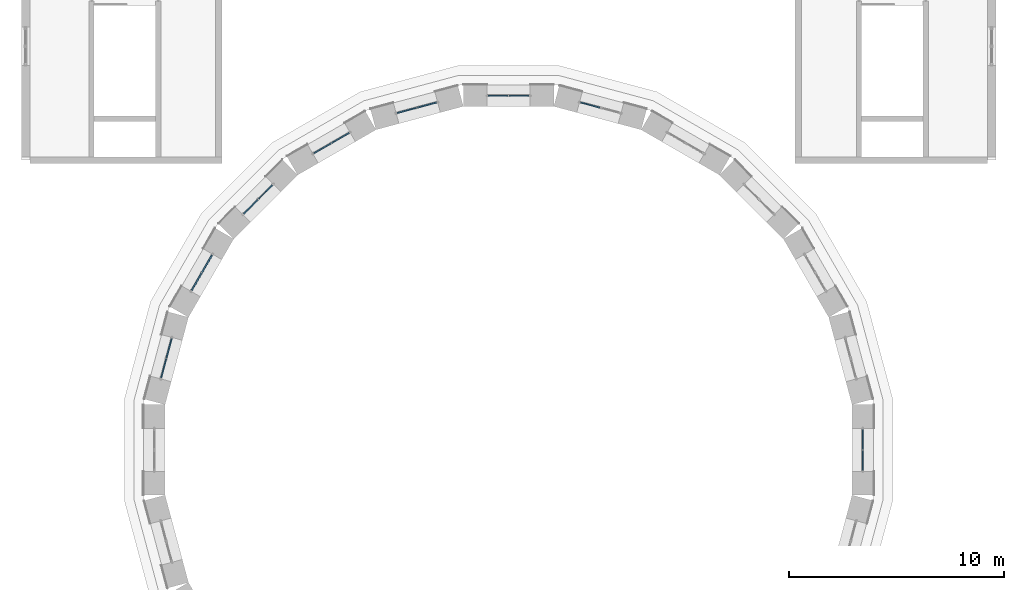
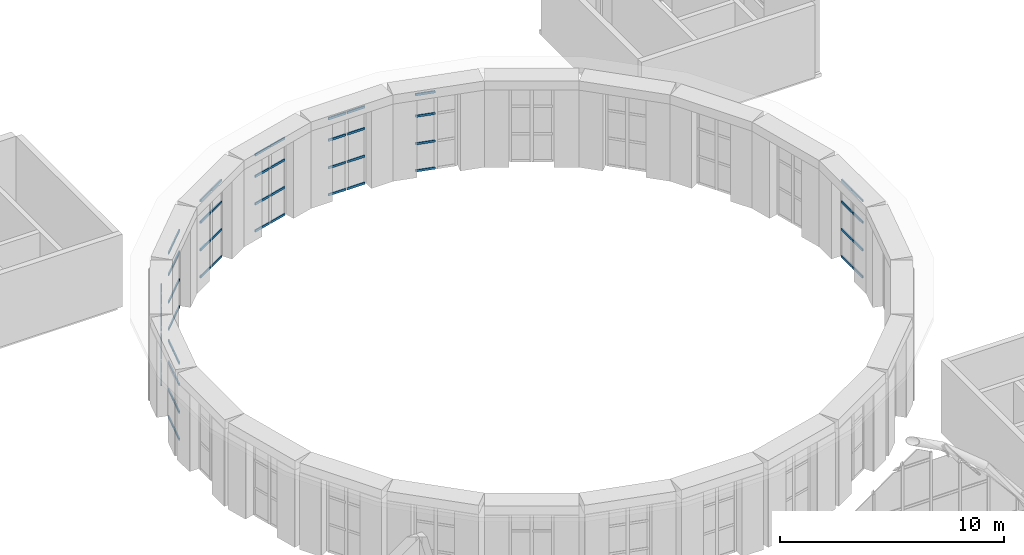
# One storey, part 72 of 121: 60 members, 8 elements without a shape of their own.
"""IFC4 building model written with IfcOpenShell, lengths in metres."""

import ifcopenshell
import ifcopenshell.guid

model = None  # the IFC model being written
_history = None  # IfcOwnerHistory: only IFC2X3 demands one
_inside = {}  # id of a spatial element -> (the spatial element, [elements in it])
_under = {}  # id of a project, library or spatial element -> (it, [spatial elements below it])
_declared = {}  # id of a project -> (the project, [libraries it declares])
_typed = {}  # id of a type object -> (the type object, [elements of that type])
_made_of = {}  # id of a material, layer set ... -> (it, [elements and type objects made of it])


def new_model(schema):
    """Start an empty IFC model of exactly this schema.

    Asked for "IFC4X3", IfcOpenShell would pick the latest addendum, in which some entities
    have other attributes; the version numbers below select the first issue.
    IFC2X3 requires an IfcOwnerHistory on every rooted entity: one is made here for all.
    """
    global model, _history
    if schema == "IFC4X3":
        model = ifcopenshell.file(schema_version=(4, 3, 0, 0))
    else:
        model = ifcopenshell.file(schema=schema)
    _inside.clear()
    _under.clear()
    _declared.clear()
    _typed.clear()
    _made_of.clear()
    _history = None
    if model.schema == "IFC2X3":
        org = make("IfcOrganization", Name="unknown")
        user = make(
            "IfcPersonAndOrganization",
            ThePerson=make("IfcPerson", FamilyName="unknown"),
            TheOrganization=org,
        )
        app = make(
            "IfcApplication",
            ApplicationDeveloper=org,
            Version="unknown",
            ApplicationFullName="unknown",
            ApplicationIdentifier="unknown",
        )
        _history = make(
            "IfcOwnerHistory",
            OwningUser=user,
            OwningApplication=app,
            ChangeAction="ADDED",
            CreationDate=0,
        )
    return model


def make(cls, **values):
    """One entity of the class cls with the attributes given. An attribute that is None is left unset."""
    return model.create_entity(
        cls, **{name: value for name, value in values.items() if value is not None}
    )


def rooted(cls, **values):
    """An entity with a GlobalId (a new one), such as an element, a storey or a relation."""
    return make(cls, GlobalId=ifcopenshell.guid.new(), OwnerHistory=_history, **values)


def si_unit(unit_type, name, prefix=None):
    """IfcSIUnit, for example si_unit("LENGTHUNIT", "METRE", prefix="MILLI")."""
    return make("IfcSIUnit", UnitType=unit_type, Prefix=prefix, Name=name)


def assignment(units):
    """IfcUnitAssignment: the units of a project."""
    return None if units is None else make("IfcUnitAssignment", Units=units)


def point(xyz):
    """IfcCartesianPoint."""
    return None if xyz is None else make("IfcCartesianPoint", Coordinates=xyz)


def direction(xyz):
    """IfcDirection."""
    return None if xyz is None else make("IfcDirection", DirectionRatios=xyz)


def frame(location, z_axis=None, x_axis=None):
    """IfcAxis2Placement3D, a coordinate frame: its origin and axes. An axis left out is left unset."""
    return make(
        "IfcAxis2Placement3D",
        Location=point(location),
        Axis=direction(z_axis),
        RefDirection=direction(x_axis),
    )


def frame_2d(location, x_axis=None):
    """IfcAxis2Placement2D, a coordinate frame in the plane: its origin and x axis."""
    return make(
        "IfcAxis2Placement2D", Location=point(location), RefDirection=direction(x_axis)
    )


def origin():
    """The frame at (0, 0, 0) with its axes left unset."""
    return frame((0.0, 0.0, 0.0))


def origin_2d():
    """The frame at (0, 0) in the plane with its x axis left unset."""
    return frame_2d((0.0, 0.0))


def place(relative_to, where):
    """IfcLocalPlacement: puts the frame where relative to a parent placement (None: the world)."""
    return make(
        "IfcLocalPlacement", PlacementRelTo=relative_to, RelativePlacement=where
    )


def context(
    kind, dimensions, precision=None, world=None, true_north=None, identifier=None
):
    """IfcGeometricRepresentationContext, for example the 3D "Model" context."""
    return make(
        "IfcGeometricRepresentationContext",
        ContextIdentifier=identifier,
        ContextType=kind,
        CoordinateSpaceDimension=dimensions,
        Precision=precision,
        WorldCoordinateSystem=world,
        TrueNorth=true_north,
    )


def subcontext(parent, identifier, kind, view, scale=None):
    """IfcGeometricRepresentationSubContext, for example "Body" below "Model"."""
    return make(
        "IfcGeometricRepresentationSubContext",
        ContextIdentifier=identifier,
        ContextType=kind,
        ParentContext=parent,
        TargetScale=scale,
        TargetView=view,
    )


def project(units=None, contexts=None):
    """IfcProject with its units and contexts."""
    return rooted(
        "IfcProject",
        Name="project",
        RepresentationContexts=contexts,
        UnitsInContext=assignment(units),
    )


def spatial(cls, under=None, at=None, **own):
    """A site, building, storey or space (cls), placed at a placement, below another one or the project."""
    s = rooted(cls, ObjectPlacement=at, **own)
    if under is not None:
        _under.setdefault(under.id(), (under, []))[1].append(s)
    return s


def profile(cls, at=None, kind="AREA", **sizes):
    """A parametric profile (cls). Its sizes go by their IFC names, for example OverallWidth=200.0."""
    return make(cls, ProfileType=kind, Position=at, **sizes)


def rectangle(**sizes):
    """IfcRectangleProfileDef."""
    return profile("IfcRectangleProfileDef", **sizes)


def extrude(swept, where, along, depth):
    """IfcExtrudedAreaSolid: the profile swept, set in the frame where, extruded along a direction by depth."""
    return make(
        "IfcExtrudedAreaSolid",
        SweptArea=swept,
        Position=where,
        ExtrudedDirection=direction(along),
        Depth=depth,
    )


def shape(context_of_items, identifier, shape_type, items):
    """IfcShapeRepresentation: the items that make up one representation, for example the "Body"."""
    return make(
        "IfcShapeRepresentation",
        ContextOfItems=context_of_items,
        RepresentationIdentifier=identifier,
        RepresentationType=shape_type,
        Items=items,
    )


def material(Name=None, Category=None):
    """IfcMaterial."""
    return make("IfcMaterial", Name=Name, Category=Category)


def layer(
    of_material, thickness, ventilated=None, Name=None, Category=None, Priority=None
):
    """IfcMaterialLayer: one layer of a wall or slab, of a material (None: an air gap)."""
    return make(
        "IfcMaterialLayer",
        Material=of_material,
        LayerThickness=thickness,
        IsVentilated=ventilated,
        Name=Name,
        Category=Category,
        Priority=Priority,
    )


def layer_set(layers, Name=None):
    """IfcMaterialLayerSet."""
    return make("IfcMaterialLayerSet", MaterialLayers=layers, LayerSetName=Name)


def material_profile(
    of_material, cross_section, Name=None, Category=None, Priority=None
):
    """IfcMaterialProfile: a cross section and its material."""
    return make(
        "IfcMaterialProfile",
        Name=Name,
        Material=of_material,
        Profile=cross_section,
        Priority=Priority,
        Category=Category,
    )


def profile_set(profiles, Name=None, composite=None):
    """IfcMaterialProfileSet."""
    return make(
        "IfcMaterialProfileSet",
        Name=Name,
        MaterialProfiles=profiles,
        CompositeProfile=composite,
    )


def made_of(thing, what):
    """Note that an element or type object is made of a material, layer set ...; save() writes the relation."""
    if what is not None:
        _made_of.setdefault(what.id(), (what, []))[1].append(thing)
    return thing


def type_object(cls, material=None, **own):
    """A type object (cls), such as IfcWallType, which elements share."""
    return made_of(rooted(cls, **own), material)


def element(
    cls,
    number,
    at=None,
    inside=None,
    cuts=None,
    type_object=None,
    material=None,
    context=None,
    identifier="Body",
    shape_type=None,
    held_by="IfcProductDefinitionShape",
    body=None,
    shapes=None,
    **own,
):
    """One element of the class cls, such as IfcWall. Its Tag is "e" and its number.

    at: its placement. inside: the storey or other place that contains it. cuts: it is an
    opening in that element (IfcRelVoidsElement). A single representation is given by context,
    identifier, shape_type and body (its items); several are given by shapes. held_by: the class
    of the entity that holds the representations. save() writes the other relations.
    """
    e = rooted(cls, Tag="e%d" % number, ObjectPlacement=at, **own)
    if body is not None:
        shapes = [shape(context, identifier, shape_type, body)]
    if shapes is not None:
        e.Representation = make(held_by, Representations=shapes)
    if inside is not None:
        _inside.setdefault(inside.id(), (inside, []))[1].append(e)
    if cuts is not None:
        rooted(
            "IfcRelVoidsElement", RelatingBuildingElement=cuts, RelatedOpeningElement=e
        )
    if type_object is not None:
        _typed.setdefault(type_object.id(), (type_object, []))[1].append(e)
    return made_of(e, material)


def aggregate(whole, parts):
    """IfcRelAggregates: a whole, such as a stair, and the parts it consists of."""
    return rooted("IfcRelAggregates", RelatingObject=whole, RelatedObjects=parts)


def save(model, path):
    """Write the relations noted so far, then the file.

    IfcRelAggregates (storeys below a building ...), IfcRelContainedInSpatialStructure (elements
    in a storey), IfcRelDefinesByType, IfcRelAssociatesMaterial and IfcRelDeclares: one each for
    every whole, place, type object, material and project.
    """
    for whole, parts in _under.values():
        aggregate(whole, parts)
    for where, things in _inside.values():
        rooted(
            "IfcRelContainedInSpatialStructure",
            RelatedElements=things,
            RelatingStructure=where,
        )
    for kind, things in _typed.values():
        rooted("IfcRelDefinesByType", RelatedObjects=things, RelatingType=kind)
    for what, things in _made_of.values():
        rooted("IfcRelAssociatesMaterial", RelatedObjects=things, RelatingMaterial=what)
    for by, libraries in _declared.values():
        rooted("IfcRelDeclares", RelatingContext=by, RelatedDefinitions=libraries)
    model.write(path)


model = new_model("IFC4")

# Units and contexts
model_context = context("Model", 3, precision=1e-05, world=origin(), true_north=direction((0.0, 1.0)))
body_context = subcontext(model_context, "Body", "Model", "MODEL_VIEW")
ifc_project = project(units=[si_unit("LENGTHUNIT", "METRE"), si_unit("AREAUNIT", "SQUARE_METRE"), si_unit("VOLUMEUNIT", "CUBIC_METRE"), si_unit("PLANEANGLEUNIT", "RADIAN"), si_unit("MASSUNIT", "GRAM", prefix="KILO")], contexts=[model_context])

# Site, building, storey
site_placement = place(None, origin())
site = spatial("IfcSite", under=ifc_project, at=site_placement, CompositionType="ELEMENT")
building_placement = place(site_placement, origin())
building = spatial("IfcBuilding", under=site, at=building_placement, Name="Golden Quay Civic Hall", CompositionType="ELEMENT")
storey_placement = place(building_placement, frame((0.0, 0.0, 18.60009765625)))
storey = spatial("IfcBuildingStorey", under=building, at=storey_placement, Name="L04", CompositionType="ELEMENT", Elevation=18.60009765625)

# Curtain wall, members
ifc_material_1 = material(Name="Glass, laminated double glazed", Category="glass")
ifc_layer = layer(ifc_material_1, 0.199951171875)
ifc_layer_set = layer_set([ifc_layer], Name="Glazed drum clerestory curtain wall")
curtain_wall_type = type_object("IfcCurtainWallType", Name="Glazed drum clerestory curtain wall", PredefinedType="NOTDEFINED", material=ifc_layer_set)
curtain_wall_1_placement = place(storey_placement, origin())
curtain_wall_1 = element("IfcCurtainWall", 1, at=curtain_wall_1_placement, inside=storey, type_object=curtain_wall_type, Name="Clerestory curtain wall 5", PredefinedType="NOTDEFINED")
ifc_material_2 = material(Name="Aluminium, anodised", Category="aluminium")
ifc_material_profile = material_profile(ifc_material_2, rectangle(XDim=0.06005859375, YDim=0.1201171875, at=origin_2d()), Name="Aluminium 60 x 120")
ifc_profile_set = profile_set([ifc_material_profile], Name="Aluminium, anodised")
member_type = type_object("IfcMemberType", Name="Aluminium transom 60 x 120", PredefinedType="USERDEFINED", material=ifc_profile_set)
member_1_placement = place(storey_placement, frame((89.741455078125, 101.445556640625, -0.170166015625), z_axis=(-0.965900137494, 0.258914897967, 0.0), x_axis=(-0.258914897967, -0.965900137494, 0.0)))
member_1 = element("IfcMember", 2, at=member_1_placement, type_object=member_type, Name="CW5 transom 2.1", ObjectType="TRANSOM", PredefinedType="USERDEFINED", context=body_context, shape_type="SweptSolid", body=[
    extrude(rectangle(XDim=0.06005859375, YDim=0.1201171875, at=origin_2d()), origin(), (0.0, 0.0, 1.0), 0.909912109375),
])
member_2_placement = place(storey_placement, frame((89.741455078125, 101.445556640625, 1.2998046875), z_axis=(-0.965900137494, 0.258914897967, 0.0), x_axis=(-0.258914897967, -0.965900137494, 0.0)))
member_2 = element("IfcMember", 3, at=member_2_placement, type_object=member_type, Name="CW5 transom 2.2", ObjectType="TRANSOM", PredefinedType="USERDEFINED", context=body_context, shape_type="SweptSolid", body=[
    extrude(rectangle(XDim=0.06005859375, YDim=0.1201171875, at=origin_2d()), origin(), (0.0, 0.0, 1.0), 0.909912109375),
])
member_3_placement = place(storey_placement, frame((89.741455078125, 101.445556640625, 2.7998046875), z_axis=(-0.965900137494, 0.258914897967, 0.0), x_axis=(-0.258914897967, -0.965900137494, 0.0)))
member_3 = element("IfcMember", 4, at=member_3_placement, type_object=member_type, Name="CW5 transom 2.3", ObjectType="TRANSOM", PredefinedType="USERDEFINED", context=body_context, shape_type="SweptSolid", body=[
    extrude(rectangle(XDim=0.06005859375, YDim=0.1201171875, at=origin_2d()), origin(), (0.0, 0.0, 1.0), 0.909912109375),
])
member_4_placement = place(storey_placement, frame((89.741455078125, 101.445556640625, 3.969970703125), z_axis=(-0.965900137494, 0.258914897967, 0.0), x_axis=(-0.258914897967, -0.965900137494, 0.0)))
member_4 = element("IfcMember", 5, at=member_4_placement, type_object=member_type, Name="CW5 transom 2.4", ObjectType="TRANSOM", PredefinedType="USERDEFINED", context=body_context, shape_type="SweptSolid", body=[
    extrude(rectangle(XDim=0.06005859375, YDim=0.1201171875, at=origin_2d()), origin(), (0.0, 0.0, 1.0), 0.909912109375),
])
aggregate(curtain_wall_1, [member_1, member_2, member_3, member_4])

curtain_wall_2_placement = place(storey_placement, origin())
curtain_wall_2 = element("IfcCurtainWall", 6, at=curtain_wall_2_placement, inside=storey, type_object=curtain_wall_type, Name="Clerestory curtain wall 6", PredefinedType="NOTDEFINED")
member_5_placement = place(storey_placement, frame((86.43994140625, 102.0, -0.170166015625), z_axis=(-1.0, 0.0, 0.0), x_axis=(0.0, -1.0, 0.0)))
member_5 = element("IfcMember", 7, at=member_5_placement, type_object=member_type, Name="CW5 transom 1.1", ObjectType="TRANSOM", PredefinedType="USERDEFINED", context=body_context, shape_type="SweptSolid", body=[
    extrude(rectangle(XDim=0.06005859375, YDim=0.1201171875, at=origin_2d()), origin(), (0.0, 0.0, 1.0), 0.909912109375),
])
member_6_placement = place(storey_placement, frame((86.43994140625, 102.0, 1.2998046875), z_axis=(-1.0, 0.0, 0.0), x_axis=(0.0, -1.0, 0.0)))
member_6 = element("IfcMember", 8, at=member_6_placement, type_object=member_type, Name="CW5 transom 1.2", ObjectType="TRANSOM", PredefinedType="USERDEFINED", context=body_context, shape_type="SweptSolid", body=[
    extrude(rectangle(XDim=0.06005859375, YDim=0.1201171875, at=origin_2d()), origin(), (0.0, 0.0, 1.0), 0.909912109375),
])
member_7_placement = place(storey_placement, frame((86.43994140625, 102.0, 2.7998046875), z_axis=(-1.0, 0.0, 0.0), x_axis=(0.0, -1.0, 0.0)))
member_7 = element("IfcMember", 9, at=member_7_placement, type_object=member_type, Name="CW5 transom 1.3", ObjectType="TRANSOM", PredefinedType="USERDEFINED", context=body_context, shape_type="SweptSolid", body=[
    extrude(rectangle(XDim=0.06005859375, YDim=0.1201171875, at=origin_2d()), origin(), (0.0, 0.0, 1.0), 0.909912109375),
])
member_8_placement = place(storey_placement, frame((86.43994140625, 102.0, 3.969970703125), z_axis=(-1.0, 0.0, 0.0), x_axis=(0.0, -1.0, 0.0)))
member_8 = element("IfcMember", 10, at=member_8_placement, type_object=member_type, Name="CW5 transom 1.4", ObjectType="TRANSOM", PredefinedType="USERDEFINED", context=body_context, shape_type="SweptSolid", body=[
    extrude(rectangle(XDim=0.06005859375, YDim=0.1201171875, at=origin_2d()), origin(), (0.0, 0.0, 1.0), 0.909912109375),
])
member_9_placement = place(storey_placement, frame((85.469970703125, 102.0, -0.170166015625), z_axis=(-1.0, 0.0, 0.0), x_axis=(0.0, -1.0, 0.0)))
member_9 = element("IfcMember", 11, at=member_9_placement, type_object=member_type, Name="CW5 transom 2.1", ObjectType="TRANSOM", PredefinedType="USERDEFINED", context=body_context, shape_type="SweptSolid", body=[
    extrude(rectangle(XDim=0.06005859375, YDim=0.1201171875, at=origin_2d()), origin(), (0.0, 0.0, 1.0), 0.909912109375),
])
member_10_placement = place(storey_placement, frame((85.469970703125, 102.0, 1.2998046875), z_axis=(-1.0, 0.0, 0.0), x_axis=(0.0, -1.0, 0.0)))
member_10 = element("IfcMember", 12, at=member_10_placement, type_object=member_type, Name="CW5 transom 2.2", ObjectType="TRANSOM", PredefinedType="USERDEFINED", context=body_context, shape_type="SweptSolid", body=[
    extrude(rectangle(XDim=0.06005859375, YDim=0.1201171875, at=origin_2d()), origin(), (0.0, 0.0, 1.0), 0.909912109375),
])
member_11_placement = place(storey_placement, frame((85.469970703125, 102.0, 2.7998046875), z_axis=(-1.0, 0.0, 0.0), x_axis=(0.0, -1.0, 0.0)))
member_11 = element("IfcMember", 13, at=member_11_placement, type_object=member_type, Name="CW5 transom 2.3", ObjectType="TRANSOM", PredefinedType="USERDEFINED", context=body_context, shape_type="SweptSolid", body=[
    extrude(rectangle(XDim=0.06005859375, YDim=0.1201171875, at=origin_2d()), origin(), (0.0, 0.0, 1.0), 0.909912109375),
])
member_12_placement = place(storey_placement, frame((85.469970703125, 102.0, 3.969970703125), z_axis=(-1.0, 0.0, 0.0), x_axis=(0.0, -1.0, 0.0)))
member_12 = element("IfcMember", 14, at=member_12_placement, type_object=member_type, Name="CW5 transom 2.4", ObjectType="TRANSOM", PredefinedType="USERDEFINED", context=body_context, shape_type="SweptSolid", body=[
    extrude(rectangle(XDim=0.06005859375, YDim=0.1201171875, at=origin_2d()), origin(), (0.0, 0.0, 1.0), 0.909912109375),
])
aggregate(curtain_wall_2, [member_5, member_6, member_7, member_8, member_9, member_10, member_11, member_12])

curtain_wall_3_placement = place(storey_placement, origin())
curtain_wall_3 = element("IfcCurtainWall", 15, at=curtain_wall_3_placement, inside=storey, type_object=curtain_wall_type, Name="Clerestory curtain wall 7", PredefinedType="NOTDEFINED")
member_13_placement = place(storey_placement, frame((82.137451171875, 101.68115234375, -0.170166015625), z_axis=(-0.965900137494, -0.258914897967, 0.0), x_axis=(0.258914897967, -0.965900137494, 0.0)))
member_13 = element("IfcMember", 16, at=member_13_placement, type_object=member_type, Name="CW5 transom 1.1", ObjectType="TRANSOM", PredefinedType="USERDEFINED", context=body_context, shape_type="SweptSolid", body=[
    extrude(rectangle(XDim=0.06005859375, YDim=0.1201171875, at=origin_2d()), origin(), (0.0, 0.0, 1.0), 0.909912109375),
])
member_14_placement = place(storey_placement, frame((82.137451171875, 101.68115234375, 1.2998046875), z_axis=(-0.965900137494, -0.258914897967, 0.0), x_axis=(0.258914897967, -0.965900137494, 0.0)))
member_14 = element("IfcMember", 17, at=member_14_placement, type_object=member_type, Name="CW5 transom 1.2", ObjectType="TRANSOM", PredefinedType="USERDEFINED", context=body_context, shape_type="SweptSolid", body=[
    extrude(rectangle(XDim=0.06005859375, YDim=0.1201171875, at=origin_2d()), origin(), (0.0, 0.0, 1.0), 0.909912109375),
])
member_15_placement = place(storey_placement, frame((82.137451171875, 101.68115234375, 2.7998046875), z_axis=(-0.965900137494, -0.258914897967, 0.0), x_axis=(0.258914897967, -0.965900137494, 0.0)))
member_15 = element("IfcMember", 18, at=member_15_placement, type_object=member_type, Name="CW5 transom 1.3", ObjectType="TRANSOM", PredefinedType="USERDEFINED", context=body_context, shape_type="SweptSolid", body=[
    extrude(rectangle(XDim=0.06005859375, YDim=0.1201171875, at=origin_2d()), origin(), (0.0, 0.0, 1.0), 0.909912109375),
])
member_16_placement = place(storey_placement, frame((82.137451171875, 101.68115234375, 3.969970703125), z_axis=(-0.965900137494, -0.258914897967, 0.0), x_axis=(0.258914897967, -0.965900137494, 0.0)))
member_16 = element("IfcMember", 19, at=member_16_placement, type_object=member_type, Name="CW5 transom 1.4", ObjectType="TRANSOM", PredefinedType="USERDEFINED", context=body_context, shape_type="SweptSolid", body=[
    extrude(rectangle(XDim=0.06005859375, YDim=0.1201171875, at=origin_2d()), origin(), (0.0, 0.0, 1.0), 0.909912109375),
])
member_17_placement = place(storey_placement, frame((81.200439453125, 101.429931640625, -0.170166015625), z_axis=(-0.965967209168, -0.258664552677, 0.0), x_axis=(0.258664552677, -0.965967209168, 0.0)))
member_17 = element("IfcMember", 20, at=member_17_placement, type_object=member_type, Name="CW5 transom 2.1", ObjectType="TRANSOM", PredefinedType="USERDEFINED", context=body_context, shape_type="SweptSolid", body=[
    extrude(rectangle(XDim=0.06005859375, YDim=0.1201171875, at=origin_2d()), origin(), (0.0, 0.0, 1.0), 0.909912109375),
])
member_18_placement = place(storey_placement, frame((81.200439453125, 101.429931640625, 1.2998046875), z_axis=(-0.965967209168, -0.258664552677, 0.0), x_axis=(0.258664552677, -0.965967209168, 0.0)))
member_18 = element("IfcMember", 21, at=member_18_placement, type_object=member_type, Name="CW5 transom 2.2", ObjectType="TRANSOM", PredefinedType="USERDEFINED", context=body_context, shape_type="SweptSolid", body=[
    extrude(rectangle(XDim=0.06005859375, YDim=0.1201171875, at=origin_2d()), origin(), (0.0, 0.0, 1.0), 0.909912109375),
])
member_19_placement = place(storey_placement, frame((81.200439453125, 101.429931640625, 2.7998046875), z_axis=(-0.965967209168, -0.258664552677, 0.0), x_axis=(0.258664552677, -0.965967209168, 0.0)))
member_19 = element("IfcMember", 22, at=member_19_placement, type_object=member_type, Name="CW5 transom 2.3", ObjectType="TRANSOM", PredefinedType="USERDEFINED", context=body_context, shape_type="SweptSolid", body=[
    extrude(rectangle(XDim=0.06005859375, YDim=0.1201171875, at=origin_2d()), origin(), (0.0, 0.0, 1.0), 0.909912109375),
])
member_20_placement = place(storey_placement, frame((81.200439453125, 101.429931640625, 3.969970703125), z_axis=(-0.965967209168, -0.258664552677, 0.0), x_axis=(0.258664552677, -0.965967209168, 0.0)))
member_20 = element("IfcMember", 23, at=member_20_placement, type_object=member_type, Name="CW5 transom 2.4", ObjectType="TRANSOM", PredefinedType="USERDEFINED", context=body_context, shape_type="SweptSolid", body=[
    extrude(rectangle(XDim=0.06005859375, YDim=0.1201171875, at=origin_2d()), origin(), (0.0, 0.0, 1.0), 0.909912109375),
])
aggregate(curtain_wall_3, [member_13, member_14, member_15, member_16, member_17, member_18, member_19, member_20])

curtain_wall_4_placement = place(storey_placement, origin())
curtain_wall_4 = element("IfcCurtainWall", 24, at=curtain_wall_4_placement, inside=storey, type_object=curtain_wall_type, Name="Clerestory curtain wall 8", PredefinedType="NOTDEFINED")
member_21_placement = place(storey_placement, frame((78.06396484375, 100.25927734375, -0.170166015625), z_axis=(-0.866105171129, -0.499861813449, 0.0), x_axis=(0.499861813449, -0.866105171129, 0.0)))
member_21 = element("IfcMember", 25, at=member_21_placement, type_object=member_type, Name="CW5 transom 1.1", ObjectType="TRANSOM", PredefinedType="USERDEFINED", context=body_context, shape_type="SweptSolid", body=[
    extrude(rectangle(XDim=0.06005859375, YDim=0.1201171875, at=origin_2d()), origin(), (0.0, 0.0, 1.0), 0.909912109375),
])
member_22_placement = place(storey_placement, frame((78.06396484375, 100.25927734375, 1.2998046875), z_axis=(-0.866105171129, -0.499861813449, 0.0), x_axis=(0.499861813449, -0.866105171129, 0.0)))
member_22 = element("IfcMember", 26, at=member_22_placement, type_object=member_type, Name="CW5 transom 1.2", ObjectType="TRANSOM", PredefinedType="USERDEFINED", context=body_context, shape_type="SweptSolid", body=[
    extrude(rectangle(XDim=0.06005859375, YDim=0.1201171875, at=origin_2d()), origin(), (0.0, 0.0, 1.0), 0.909912109375),
])
member_23_placement = place(storey_placement, frame((78.06396484375, 100.25927734375, 2.7998046875), z_axis=(-0.866105171129, -0.499861813449, 0.0), x_axis=(0.499861813449, -0.866105171129, 0.0)))
member_23 = element("IfcMember", 27, at=member_23_placement, type_object=member_type, Name="CW5 transom 1.3", ObjectType="TRANSOM", PredefinedType="USERDEFINED", context=body_context, shape_type="SweptSolid", body=[
    extrude(rectangle(XDim=0.06005859375, YDim=0.1201171875, at=origin_2d()), origin(), (0.0, 0.0, 1.0), 0.909912109375),
])
member_24_placement = place(storey_placement, frame((78.06396484375, 100.25927734375, 3.969970703125), z_axis=(-0.866105171129, -0.499861813449, 0.0), x_axis=(0.499861813449, -0.866105171129, 0.0)))
member_24 = element("IfcMember", 28, at=member_24_placement, type_object=member_type, Name="CW5 transom 1.4", ObjectType="TRANSOM", PredefinedType="USERDEFINED", context=body_context, shape_type="SweptSolid", body=[
    extrude(rectangle(XDim=0.06005859375, YDim=0.1201171875, at=origin_2d()), origin(), (0.0, 0.0, 1.0), 0.909912109375),
])
member_25_placement = place(storey_placement, frame((77.22412109375, 99.7744140625, -0.170166015625), z_axis=(-0.865989003036, -0.500063042646, 0.0), x_axis=(0.500063042646, -0.865989003036, 0.0)))
member_25 = element("IfcMember", 29, at=member_25_placement, type_object=member_type, Name="CW5 transom 2.1", ObjectType="TRANSOM", PredefinedType="USERDEFINED", context=body_context, shape_type="SweptSolid", body=[
    extrude(rectangle(XDim=0.06005859375, YDim=0.1201171875, at=origin_2d()), origin(), (0.0, 0.0, 1.0), 0.91015625),
])
member_26_placement = place(storey_placement, frame((77.22412109375, 99.7744140625, 1.2998046875), z_axis=(-0.865989003036, -0.500063042646, 0.0), x_axis=(0.500063042646, -0.865989003036, 0.0)))
member_26 = element("IfcMember", 30, at=member_26_placement, type_object=member_type, Name="CW5 transom 2.2", ObjectType="TRANSOM", PredefinedType="USERDEFINED", context=body_context, shape_type="SweptSolid", body=[
    extrude(rectangle(XDim=0.06005859375, YDim=0.1201171875, at=origin_2d()), origin(), (0.0, 0.0, 1.0), 0.91015625),
])
member_27_placement = place(storey_placement, frame((77.22412109375, 99.7744140625, 2.7998046875), z_axis=(-0.865989003036, -0.500063042646, 0.0), x_axis=(0.500063042646, -0.865989003036, 0.0)))
member_27 = element("IfcMember", 31, at=member_27_placement, type_object=member_type, Name="CW5 transom 2.3", ObjectType="TRANSOM", PredefinedType="USERDEFINED", context=body_context, shape_type="SweptSolid", body=[
    extrude(rectangle(XDim=0.06005859375, YDim=0.1201171875, at=origin_2d()), origin(), (0.0, 0.0, 1.0), 0.91015625),
])
member_28_placement = place(storey_placement, frame((77.22412109375, 99.7744140625, 3.969970703125), z_axis=(-0.865989003036, -0.500063042646, 0.0), x_axis=(0.500063042646, -0.865989003036, 0.0)))
member_28 = element("IfcMember", 32, at=member_28_placement, type_object=member_type, Name="CW5 transom 2.4", ObjectType="TRANSOM", PredefinedType="USERDEFINED", context=body_context, shape_type="SweptSolid", body=[
    extrude(rectangle(XDim=0.06005859375, YDim=0.1201171875, at=origin_2d()), origin(), (0.0, 0.0, 1.0), 0.91015625),
])
aggregate(curtain_wall_4, [member_21, member_22, member_23, member_24, member_25, member_26, member_27, member_28])

curtain_wall_5_placement = place(storey_placement, origin())
curtain_wall_5 = element("IfcCurtainWall", 33, at=curtain_wall_5_placement, inside=storey, type_object=curtain_wall_type, Name="Clerestory curtain wall 9", PredefinedType="NOTDEFINED")
member_29_placement = place(storey_placement, frame((74.497314453125, 97.83203125, -0.170166015625), z_axis=(-0.706972618059, -0.707240918863, 0.0), x_axis=(0.707240918863, -0.706972618059, 0.0)))
member_29 = element("IfcMember", 34, at=member_29_placement, type_object=member_type, Name="CW5 transom 1.1", ObjectType="TRANSOM", PredefinedType="USERDEFINED", context=body_context, shape_type="SweptSolid", body=[
    extrude(rectangle(XDim=0.06005859375, YDim=0.1201171875, at=origin_2d()), origin(), (0.0, 0.0, 1.0), 0.909912109375),
])
member_30_placement = place(storey_placement, frame((74.497314453125, 97.83203125, 1.2998046875), z_axis=(-0.706972618059, -0.707240918863, 0.0), x_axis=(0.707240918863, -0.706972618059, 0.0)))
member_30 = element("IfcMember", 35, at=member_30_placement, type_object=member_type, Name="CW5 transom 1.2", ObjectType="TRANSOM", PredefinedType="USERDEFINED", context=body_context, shape_type="SweptSolid", body=[
    extrude(rectangle(XDim=0.06005859375, YDim=0.1201171875, at=origin_2d()), origin(), (0.0, 0.0, 1.0), 0.909912109375),
])
member_31_placement = place(storey_placement, frame((74.497314453125, 97.83203125, 2.7998046875), z_axis=(-0.706972618059, -0.707240918863, 0.0), x_axis=(0.707240918863, -0.706972618059, 0.0)))
member_31 = element("IfcMember", 36, at=member_31_placement, type_object=member_type, Name="CW5 transom 1.3", ObjectType="TRANSOM", PredefinedType="USERDEFINED", context=body_context, shape_type="SweptSolid", body=[
    extrude(rectangle(XDim=0.06005859375, YDim=0.1201171875, at=origin_2d()), origin(), (0.0, 0.0, 1.0), 0.909912109375),
])
member_32_placement = place(storey_placement, frame((74.497314453125, 97.83203125, 3.969970703125), z_axis=(-0.706972618059, -0.707240918863, 0.0), x_axis=(0.707240918863, -0.706972618059, 0.0)))
member_32 = element("IfcMember", 37, at=member_32_placement, type_object=member_type, Name="CW5 transom 1.4", ObjectType="TRANSOM", PredefinedType="USERDEFINED", context=body_context, shape_type="SweptSolid", body=[
    extrude(rectangle(XDim=0.06005859375, YDim=0.1201171875, at=origin_2d()), origin(), (0.0, 0.0, 1.0), 0.909912109375),
])
member_33_placement = place(storey_placement, frame((73.8115234375, 97.14599609375, -0.170166015625), z_axis=(-0.707240918863, -0.706972618059, 0.0), x_axis=(0.706972618059, -0.707240918863, 0.0)))
member_33 = element("IfcMember", 38, at=member_33_placement, type_object=member_type, Name="CW5 transom 2.1", ObjectType="TRANSOM", PredefinedType="USERDEFINED", context=body_context, shape_type="SweptSolid", body=[
    extrude(rectangle(XDim=0.06005859375, YDim=0.1201171875, at=origin_2d()), origin(), (0.0, 0.0, 1.0), 0.909912109375),
])
member_34_placement = place(storey_placement, frame((73.8115234375, 97.14599609375, 1.2998046875), z_axis=(-0.707240918863, -0.706972618059, 0.0), x_axis=(0.706972618059, -0.707240918863, 0.0)))
member_34 = element("IfcMember", 39, at=member_34_placement, type_object=member_type, Name="CW5 transom 2.2", ObjectType="TRANSOM", PredefinedType="USERDEFINED", context=body_context, shape_type="SweptSolid", body=[
    extrude(rectangle(XDim=0.06005859375, YDim=0.1201171875, at=origin_2d()), origin(), (0.0, 0.0, 1.0), 0.909912109375),
])
member_35_placement = place(storey_placement, frame((73.8115234375, 97.14599609375, 2.7998046875), z_axis=(-0.707240918863, -0.706972618059, 0.0), x_axis=(0.706972618059, -0.707240918863, 0.0)))
member_35 = element("IfcMember", 40, at=member_35_placement, type_object=member_type, Name="CW5 transom 2.3", ObjectType="TRANSOM", PredefinedType="USERDEFINED", context=body_context, shape_type="SweptSolid", body=[
    extrude(rectangle(XDim=0.06005859375, YDim=0.1201171875, at=origin_2d()), origin(), (0.0, 0.0, 1.0), 0.909912109375),
])
member_36_placement = place(storey_placement, frame((73.8115234375, 97.14599609375, 3.969970703125), z_axis=(-0.707240918863, -0.706972618059, 0.0), x_axis=(0.706972618059, -0.707240918863, 0.0)))
member_36 = element("IfcMember", 41, at=member_36_placement, type_object=member_type, Name="CW5 transom 2.4", ObjectType="TRANSOM", PredefinedType="USERDEFINED", context=body_context, shape_type="SweptSolid", body=[
    extrude(rectangle(XDim=0.06005859375, YDim=0.1201171875, at=origin_2d()), origin(), (0.0, 0.0, 1.0), 0.909912109375),
])
aggregate(curtain_wall_5, [member_29, member_30, member_31, member_32, member_33, member_34, member_35, member_36])

curtain_wall_6_placement = place(storey_placement, origin())
curtain_wall_6 = element("IfcCurtainWall", 42, at=curtain_wall_6_placement, inside=storey, type_object=curtain_wall_type, Name="Clerestory curtain wall 10", PredefinedType="NOTDEFINED")
member_37_placement = place(storey_placement, frame((71.6806640625, 94.56396484375, -0.170166015625), z_axis=(-0.500063042646, -0.865989003036, 0.0), x_axis=(0.865989003036, -0.500063042646, 0.0)))
member_37 = element("IfcMember", 43, at=member_37_placement, type_object=member_type, Name="CW5 transom 1.1", ObjectType="TRANSOM", PredefinedType="USERDEFINED", context=body_context, shape_type="SweptSolid", body=[
    extrude(rectangle(XDim=0.06005859375, YDim=0.1201171875, at=origin_2d()), origin(), (0.0, 0.0, 1.0), 0.91015625),
])
member_38_placement = place(storey_placement, frame((71.6806640625, 94.56396484375, 1.2998046875), z_axis=(-0.500063042646, -0.865989003036, 0.0), x_axis=(0.865989003036, -0.500063042646, 0.0)))
member_38 = element("IfcMember", 44, at=member_38_placement, type_object=member_type, Name="CW5 transom 1.2", ObjectType="TRANSOM", PredefinedType="USERDEFINED", context=body_context, shape_type="SweptSolid", body=[
    extrude(rectangle(XDim=0.06005859375, YDim=0.1201171875, at=origin_2d()), origin(), (0.0, 0.0, 1.0), 0.91015625),
])
member_39_placement = place(storey_placement, frame((71.6806640625, 94.56396484375, 2.7998046875), z_axis=(-0.500063042646, -0.865989003036, 0.0), x_axis=(0.865989003036, -0.500063042646, 0.0)))
member_39 = element("IfcMember", 45, at=member_39_placement, type_object=member_type, Name="CW5 transom 1.3", ObjectType="TRANSOM", PredefinedType="USERDEFINED", context=body_context, shape_type="SweptSolid", body=[
    extrude(rectangle(XDim=0.06005859375, YDim=0.1201171875, at=origin_2d()), origin(), (0.0, 0.0, 1.0), 0.91015625),
])
member_40_placement = place(storey_placement, frame((71.6806640625, 94.56396484375, 3.969970703125), z_axis=(-0.500063042646, -0.865989003036, 0.0), x_axis=(0.865989003036, -0.500063042646, 0.0)))
member_40 = element("IfcMember", 46, at=member_40_placement, type_object=member_type, Name="CW5 transom 1.4", ObjectType="TRANSOM", PredefinedType="USERDEFINED", context=body_context, shape_type="SweptSolid", body=[
    extrude(rectangle(XDim=0.06005859375, YDim=0.1201171875, at=origin_2d()), origin(), (0.0, 0.0, 1.0), 0.91015625),
])
member_41_placement = place(storey_placement, frame((71.195556640625, 93.72412109375, -0.170166015625), z_axis=(-0.499861813449, -0.866105171129, 0.0), x_axis=(0.866105171129, -0.499861813449, 0.0)))
member_41 = element("IfcMember", 47, at=member_41_placement, type_object=member_type, Name="CW5 transom 2.1", ObjectType="TRANSOM", PredefinedType="USERDEFINED", context=body_context, shape_type="SweptSolid", body=[
    extrude(rectangle(XDim=0.06005859375, YDim=0.1201171875, at=origin_2d()), origin(), (0.0, 0.0, 1.0), 0.909912109375),
])
member_42_placement = place(storey_placement, frame((71.195556640625, 93.72412109375, 1.2998046875), z_axis=(-0.499861813449, -0.866105171129, 0.0), x_axis=(0.866105171129, -0.499861813449, 0.0)))
member_42 = element("IfcMember", 48, at=member_42_placement, type_object=member_type, Name="CW5 transom 2.2", ObjectType="TRANSOM", PredefinedType="USERDEFINED", context=body_context, shape_type="SweptSolid", body=[
    extrude(rectangle(XDim=0.06005859375, YDim=0.1201171875, at=origin_2d()), origin(), (0.0, 0.0, 1.0), 0.909912109375),
])
member_43_placement = place(storey_placement, frame((71.195556640625, 93.72412109375, 2.7998046875), z_axis=(-0.499861813449, -0.866105171129, 0.0), x_axis=(0.866105171129, -0.499861813449, 0.0)))
member_43 = element("IfcMember", 49, at=member_43_placement, type_object=member_type, Name="CW5 transom 2.3", ObjectType="TRANSOM", PredefinedType="USERDEFINED", context=body_context, shape_type="SweptSolid", body=[
    extrude(rectangle(XDim=0.06005859375, YDim=0.1201171875, at=origin_2d()), origin(), (0.0, 0.0, 1.0), 0.909912109375),
])
member_44_placement = place(storey_placement, frame((71.195556640625, 93.72412109375, 3.969970703125), z_axis=(-0.499861813449, -0.866105171129, 0.0), x_axis=(0.866105171129, -0.499861813449, 0.0)))
member_44 = element("IfcMember", 50, at=member_44_placement, type_object=member_type, Name="CW5 transom 2.4", ObjectType="TRANSOM", PredefinedType="USERDEFINED", context=body_context, shape_type="SweptSolid", body=[
    extrude(rectangle(XDim=0.06005859375, YDim=0.1201171875, at=origin_2d()), origin(), (0.0, 0.0, 1.0), 0.909912109375),
])
aggregate(curtain_wall_6, [member_37, member_38, member_39, member_40, member_41, member_42, member_43, member_44])

curtain_wall_7_placement = place(storey_placement, origin())
curtain_wall_7 = element("IfcCurtainWall", 51, at=curtain_wall_7_placement, inside=storey, type_object=curtain_wall_type, Name="Clerestory curtain wall 11", PredefinedType="NOTDEFINED")
member_45_placement = place(storey_placement, frame((69.805419921875, 90.678466796875, -0.170166015625), z_axis=(-0.258664552677, -0.965967209168, 0.0), x_axis=(0.965967209168, -0.258664552677, 0.0)))
member_45 = element("IfcMember", 52, at=member_45_placement, type_object=member_type, Name="CW5 transom 1.1", ObjectType="TRANSOM", PredefinedType="USERDEFINED", context=body_context, shape_type="SweptSolid", body=[
    extrude(rectangle(XDim=0.06005859375, YDim=0.1201171875, at=origin_2d()), origin(), (0.0, 0.0, 1.0), 0.909912109375),
])
member_46_placement = place(storey_placement, frame((69.805419921875, 90.678466796875, 1.2998046875), z_axis=(-0.258664552677, -0.965967209168, 0.0), x_axis=(0.965967209168, -0.258664552677, 0.0)))
member_46 = element("IfcMember", 53, at=member_46_placement, type_object=member_type, Name="CW5 transom 1.2", ObjectType="TRANSOM", PredefinedType="USERDEFINED", context=body_context, shape_type="SweptSolid", body=[
    extrude(rectangle(XDim=0.06005859375, YDim=0.1201171875, at=origin_2d()), origin(), (0.0, 0.0, 1.0), 0.909912109375),
])
member_47_placement = place(storey_placement, frame((69.805419921875, 90.678466796875, 2.7998046875), z_axis=(-0.258664552677, -0.965967209168, 0.0), x_axis=(0.965967209168, -0.258664552677, 0.0)))
member_47 = element("IfcMember", 54, at=member_47_placement, type_object=member_type, Name="CW5 transom 1.3", ObjectType="TRANSOM", PredefinedType="USERDEFINED", context=body_context, shape_type="SweptSolid", body=[
    extrude(rectangle(XDim=0.06005859375, YDim=0.1201171875, at=origin_2d()), origin(), (0.0, 0.0, 1.0), 0.909912109375),
])
member_48_placement = place(storey_placement, frame((69.805419921875, 90.678466796875, 3.969970703125), z_axis=(-0.258664552677, -0.965967209168, 0.0), x_axis=(0.965967209168, -0.258664552677, 0.0)))
member_48 = element("IfcMember", 55, at=member_48_placement, type_object=member_type, Name="CW5 transom 1.4", ObjectType="TRANSOM", PredefinedType="USERDEFINED", context=body_context, shape_type="SweptSolid", body=[
    extrude(rectangle(XDim=0.06005859375, YDim=0.1201171875, at=origin_2d()), origin(), (0.0, 0.0, 1.0), 0.909912109375),
])
member_49_placement = place(storey_placement, frame((69.554443359375, 89.741455078125, -0.170166015625), z_axis=(-0.258914897967, -0.965900137494, 0.0), x_axis=(0.965900137494, -0.258914897967, 0.0)))
member_49 = element("IfcMember", 56, at=member_49_placement, type_object=member_type, Name="CW5 transom 2.1", ObjectType="TRANSOM", PredefinedType="USERDEFINED", context=body_context, shape_type="SweptSolid", body=[
    extrude(rectangle(XDim=0.06005859375, YDim=0.1201171875, at=origin_2d()), origin(), (0.0, 0.0, 1.0), 0.909912109375),
])
member_50_placement = place(storey_placement, frame((69.554443359375, 89.741455078125, 1.2998046875), z_axis=(-0.258914897967, -0.965900137494, 0.0), x_axis=(0.965900137494, -0.258914897967, 0.0)))
member_50 = element("IfcMember", 57, at=member_50_placement, type_object=member_type, Name="CW5 transom 2.2", ObjectType="TRANSOM", PredefinedType="USERDEFINED", context=body_context, shape_type="SweptSolid", body=[
    extrude(rectangle(XDim=0.06005859375, YDim=0.1201171875, at=origin_2d()), origin(), (0.0, 0.0, 1.0), 0.909912109375),
])
member_51_placement = place(storey_placement, frame((69.554443359375, 89.741455078125, 2.7998046875), z_axis=(-0.258914897967, -0.965900137494, 0.0), x_axis=(0.965900137494, -0.258914897967, 0.0)))
member_51 = element("IfcMember", 58, at=member_51_placement, type_object=member_type, Name="CW5 transom 2.3", ObjectType="TRANSOM", PredefinedType="USERDEFINED", context=body_context, shape_type="SweptSolid", body=[
    extrude(rectangle(XDim=0.06005859375, YDim=0.1201171875, at=origin_2d()), origin(), (0.0, 0.0, 1.0), 0.909912109375),
])
member_52_placement = place(storey_placement, frame((69.554443359375, 89.741455078125, 3.969970703125), z_axis=(-0.258914897967, -0.965900137494, 0.0), x_axis=(0.965900137494, -0.258914897967, 0.0)))
member_52 = element("IfcMember", 59, at=member_52_placement, type_object=member_type, Name="CW5 transom 2.4", ObjectType="TRANSOM", PredefinedType="USERDEFINED", context=body_context, shape_type="SweptSolid", body=[
    extrude(rectangle(XDim=0.06005859375, YDim=0.1201171875, at=origin_2d()), origin(), (0.0, 0.0, 1.0), 0.909912109375),
])
aggregate(curtain_wall_7, [member_45, member_46, member_47, member_48, member_49, member_50, member_51, member_52])

curtain_wall_8_placement = place(storey_placement, origin())
curtain_wall_8 = element("IfcCurtainWall", 60, at=curtain_wall_8_placement, inside=storey, type_object=curtain_wall_type, Name="Clerestory curtain wall 24", PredefinedType="NOTDEFINED")
member_53_placement = place(storey_placement, frame((102.0, 84.56005859375, -0.170166015625), z_axis=(0.0, 1.0, 0.0), x_axis=(-1.0, 0.0, 0.0)))
member_53 = element("IfcMember", 61, at=member_53_placement, type_object=member_type, Name="CW5 transom 1.1", ObjectType="TRANSOM", PredefinedType="USERDEFINED", context=body_context, shape_type="SweptSolid", body=[
    extrude(rectangle(XDim=0.06005859375, YDim=0.1201171875, at=origin_2d()), origin(), (0.0, 0.0, 1.0), 0.909912109375),
])
member_54_placement = place(storey_placement, frame((102.0, 84.56005859375, 1.2998046875), z_axis=(0.0, 1.0, 0.0), x_axis=(-1.0, 0.0, 0.0)))
member_54 = element("IfcMember", 62, at=member_54_placement, type_object=member_type, Name="CW5 transom 1.2", ObjectType="TRANSOM", PredefinedType="USERDEFINED", context=body_context, shape_type="SweptSolid", body=[
    extrude(rectangle(XDim=0.06005859375, YDim=0.1201171875, at=origin_2d()), origin(), (0.0, 0.0, 1.0), 0.909912109375),
])
member_55_placement = place(storey_placement, frame((102.0, 84.56005859375, 2.7998046875), z_axis=(0.0, 1.0, 0.0), x_axis=(-1.0, 0.0, 0.0)))
member_55 = element("IfcMember", 63, at=member_55_placement, type_object=member_type, Name="CW5 transom 1.3", ObjectType="TRANSOM", PredefinedType="USERDEFINED", context=body_context, shape_type="SweptSolid", body=[
    extrude(rectangle(XDim=0.06005859375, YDim=0.1201171875, at=origin_2d()), origin(), (0.0, 0.0, 1.0), 0.909912109375),
])
member_56_placement = place(storey_placement, frame((102.0, 84.56005859375, 3.969970703125), z_axis=(0.0, 1.0, 0.0), x_axis=(-1.0, 0.0, 0.0)))
member_56 = element("IfcMember", 64, at=member_56_placement, type_object=member_type, Name="CW5 transom 1.4", ObjectType="TRANSOM", PredefinedType="USERDEFINED", context=body_context, shape_type="SweptSolid", body=[
    extrude(rectangle(XDim=0.06005859375, YDim=0.1201171875, at=origin_2d()), origin(), (0.0, 0.0, 1.0), 0.909912109375),
])
member_57_placement = place(storey_placement, frame((102.0, 85.530029296875, -0.170166015625), z_axis=(0.0, 1.0, 0.0), x_axis=(-1.0, 0.0, 0.0)))
member_57 = element("IfcMember", 65, at=member_57_placement, type_object=member_type, Name="CW5 transom 2.1", ObjectType="TRANSOM", PredefinedType="USERDEFINED", context=body_context, shape_type="SweptSolid", body=[
    extrude(rectangle(XDim=0.06005859375, YDim=0.1201171875, at=origin_2d()), origin(), (0.0, 0.0, 1.0), 0.909912109375),
])
member_58_placement = place(storey_placement, frame((102.0, 85.530029296875, 1.2998046875), z_axis=(0.0, 1.0, 0.0), x_axis=(-1.0, 0.0, 0.0)))
member_58 = element("IfcMember", 66, at=member_58_placement, type_object=member_type, Name="CW5 transom 2.2", ObjectType="TRANSOM", PredefinedType="USERDEFINED", context=body_context, shape_type="SweptSolid", body=[
    extrude(rectangle(XDim=0.06005859375, YDim=0.1201171875, at=origin_2d()), origin(), (0.0, 0.0, 1.0), 0.909912109375),
])
member_59_placement = place(storey_placement, frame((102.0, 85.530029296875, 2.7998046875), z_axis=(0.0, 1.0, 0.0), x_axis=(-1.0, 0.0, 0.0)))
member_59 = element("IfcMember", 67, at=member_59_placement, type_object=member_type, Name="CW5 transom 2.3", ObjectType="TRANSOM", PredefinedType="USERDEFINED", context=body_context, shape_type="SweptSolid", body=[
    extrude(rectangle(XDim=0.06005859375, YDim=0.1201171875, at=origin_2d()), origin(), (0.0, 0.0, 1.0), 0.909912109375),
])
member_60_placement = place(storey_placement, frame((102.0, 85.530029296875, 3.969970703125), z_axis=(0.0, 1.0, 0.0), x_axis=(-1.0, 0.0, 0.0)))
member_60 = element("IfcMember", 68, at=member_60_placement, type_object=member_type, Name="CW5 transom 2.4", ObjectType="TRANSOM", PredefinedType="USERDEFINED", context=body_context, shape_type="SweptSolid", body=[
    extrude(rectangle(XDim=0.06005859375, YDim=0.1201171875, at=origin_2d()), origin(), (0.0, 0.0, 1.0), 0.909912109375),
])
aggregate(curtain_wall_8, [member_53, member_54, member_55, member_56, member_57, member_58, member_59, member_60])

save(model, "model.ifc")
